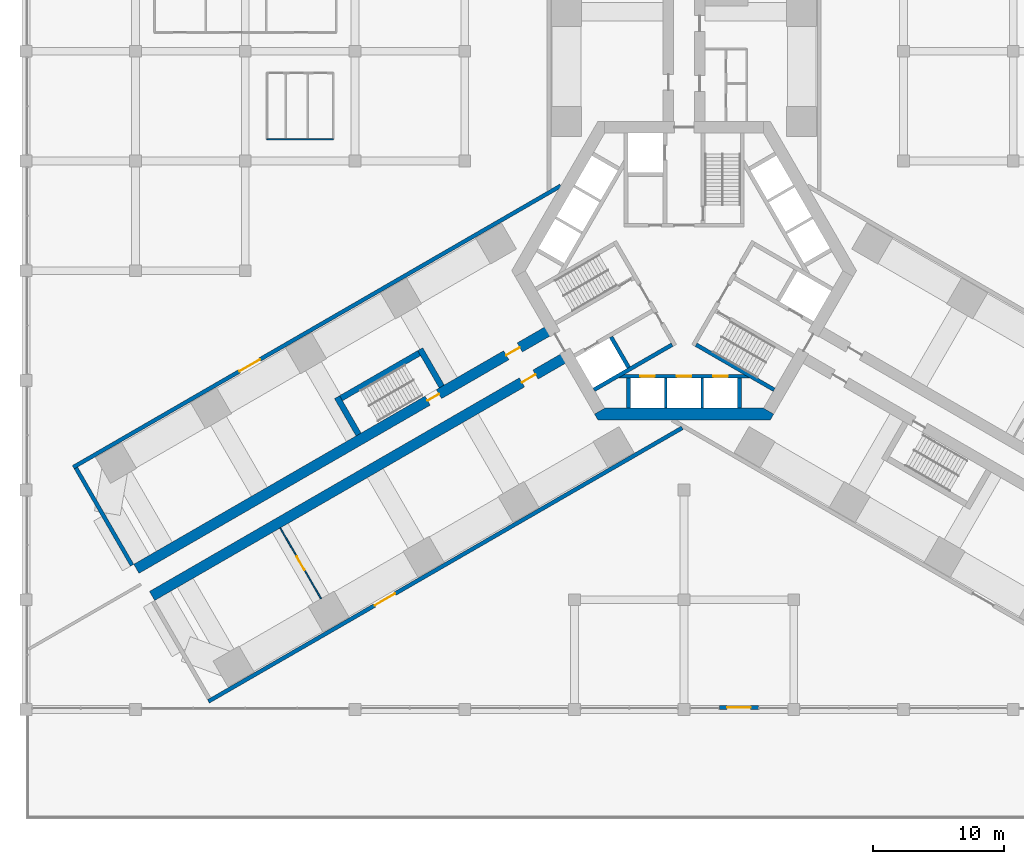
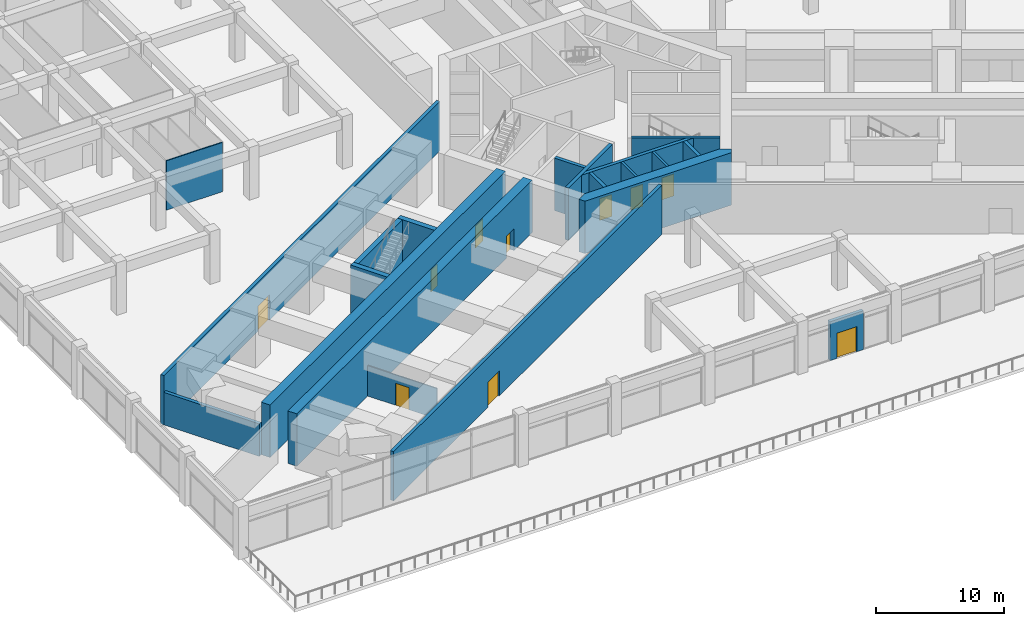
# One storey, part 28 of 36: 20 walls, 10 doors, 10 openings.
"""IFC4 building model written with IfcOpenShell, lengths in metres."""

from ifc_helpers import new_model, si_unit, direction, frame, frame_2d, origin, place, context, subcontext, project, spatial, polyline, rectangle, outline, extrude, material, layer, layer_set, type_object, element, fill, save


model = new_model("IFC4")

# Units and contexts
model_context = context("Model", 3, precision=1e-05, world=origin(), true_north=direction((0.0, 1.0)))
body_context = subcontext(model_context, "Body", "Model", "MODEL_VIEW")
ifc_project = project(units=[si_unit("LENGTHUNIT", "METRE"), si_unit("AREAUNIT", "SQUARE_METRE"), si_unit("VOLUMEUNIT", "CUBIC_METRE"), si_unit("PLANEANGLEUNIT", "RADIAN"), si_unit("MASSUNIT", "GRAM", prefix="KILO")], contexts=[model_context])

# Site, building, storey
site_placement = place(None, origin())
site = spatial("IfcSite", under=ifc_project, at=site_placement, CompositionType="ELEMENT")
building_placement = place(site_placement, origin())
building = spatial("IfcBuilding", under=site, at=building_placement, Name="Impinga Residences", CompositionType="ELEMENT")
storey_placement = place(building_placement, frame((0.0, 0.0, 6.0)))
storey = spatial("IfcBuildingStorey", under=building, at=storey_placement, Name="L01", CompositionType="ELEMENT", Elevation=6.0)

# Wall, opening, door
ifc_material_1 = material(Name="Concrete C70/85", Category="concrete")
ifc_layer_1 = layer(ifc_material_1, 0.800048828125)
ifc_layer_set_1 = layer_set([ifc_layer_1], Name="Concrete C70/85")
wall_type_1 = type_object("IfcWallType", Name="BW0 corridor buttress wall, B3 to L04 800", PredefinedType="SHEAR", material=ifc_layer_set_1)
wall_1_placement = place(storey_placement, frame((-8.910400390625, -6.530029296875, 0.0), z_axis=(0.0, 0.0, 1.0), x_axis=(-0.866025284237, -0.500000207062, 0.0)))
wall_1 = element("IfcWall", 1, at=wall_1_placement, inside=storey, type_object=wall_type_1, Name="Corridor wall BW0 WC L01", PredefinedType="SHEAR", context=body_context, shape_type="SweptSolid", body=[
    extrude(rectangle(XDim=36.75, YDim=0.800048828125, at=frame_2d((18.375, 0.0))), origin(), (0.0, 0.0, 1.0), 5.0),
])
opening_1_placement = place(wall_1_placement, frame((2.85009765625, 0.0, 0.0)))
opening_1 = element("IfcOpeningElement", 2, at=opening_1_placement, cuts=wall_1, Name="Opening D3", PredefinedType="OPENING", context=body_context, shape_type="SweptSolid", body=[
    extrude(rectangle(XDim=1.199951171875, YDim=2.10009765625, at=frame_2d((0.60009765625, 1.050048828125))), frame((0.0, 0.409912109375, 0.0), z_axis=(0.0, -1.0, 0.0), x_axis=(1.0, 0.0, 0.0)), (0.0, 0.0, 1.0), 0.820068359375),
])
ifc_material_2 = material(Name="Timber door set", Category="wood")
door_type_1 = type_object("IfcDoorType", Name="D3 room door, leaf and a half 1200x2100", OperationType="DOUBLE_SWING_LEFT", PredefinedType="DOOR", material=ifc_material_2)
door_1_placement = place(opening_1_placement, origin())
door_1 = element("IfcDoor", 3, at=door_1_placement, inside=storey, type_object=door_type_1, Name="Library lounge door L01-WA1", OperationType="DOUBLE_SWING_LEFT", OverallHeight=2.10009765625, OverallWidth=1.199951171875, PredefinedType="DOOR", context=body_context, shape_type="SweptSolid", body=[
    extrude(rectangle(XDim=1.199951171875, YDim=2.10009765625, at=frame_2d((0.60009765625, 1.050048828125))), frame((0.0, 0.02490234375, 0.0), z_axis=(0.0, -1.0, 0.0), x_axis=(1.0, 0.0, 0.0)), (0.0, 0.0, 1.0), 0.050048828125),
])
fill(opening_1, door_1)

# Wall, openings, doors
wall_2_placement = place(storey_placement, frame((-10.1103515625, -4.451416015625, 0.0), z_axis=(0.0, 0.0, 1.0), x_axis=(-0.866025284237, -0.500000207062, 0.0)))
wall_2 = element("IfcWall", 4, at=wall_2_placement, inside=storey, type_object=wall_type_1, Name="Corridor wall BW0 WD L01", PredefinedType="SHEAR", context=body_context, shape_type="SweptSolid", body=[
    extrude(rectangle(XDim=36.75, YDim=0.800048828125, at=frame_2d((18.375, 0.0))), origin(), (0.0, 0.0, 1.0), 5.0),
])
opening_2_placement = place(wall_2_placement, frame((10.0, 0.0, 0.0)))
opening_2 = element("IfcOpeningElement", 5, at=opening_2_placement, cuts=wall_2, Name="Opening D5", PredefinedType="OPENING", context=body_context, shape_type="SweptSolid", body=[
    extrude(rectangle(XDim=1.0, YDim=2.10009765625, at=frame_2d((0.5, 1.050048828125))), frame((0.0, 0.409912109375, 0.0), z_axis=(0.0, -1.0, 0.0), x_axis=(1.0, 0.0, 0.0)), (0.0, 0.0, 1.0), 0.820068359375),
])
opening_3_placement = place(wall_2_placement, frame((2.85009765625, 0.0, 0.0)))
opening_3 = element("IfcOpeningElement", 6, at=opening_3_placement, cuts=wall_2, Name="Opening D3", PredefinedType="OPENING", context=body_context, shape_type="SweptSolid", body=[
    extrude(rectangle(XDim=1.199951171875, YDim=2.10009765625, at=frame_2d((0.60009765625, 1.050048828125))), frame((0.0, 0.409912109375, 0.0), z_axis=(0.0, -1.0, 0.0), x_axis=(1.0, 0.0, 0.0)), (0.0, 0.0, 1.0), 0.820068359375),
])
door_2_placement = place(opening_3_placement, origin())
door_2 = element("IfcDoor", 7, at=door_2_placement, inside=storey, type_object=door_type_1, Name="Games room door L01-WF1", OperationType="DOUBLE_SWING_LEFT", OverallHeight=2.10009765625, OverallWidth=1.199951171875, PredefinedType="DOOR", context=body_context, shape_type="SweptSolid", body=[
    extrude(rectangle(XDim=1.199951171875, YDim=2.10009765625, at=frame_2d((0.60009765625, 1.050048828125))), frame((0.0, 0.02490234375, 0.0), z_axis=(0.0, -1.0, 0.0), x_axis=(1.0, 0.0, 0.0)), (0.0, 0.0, 1.0), 0.050048828125),
])
fill(opening_3, door_2)
door_type_2 = type_object("IfcDoorType", Name="D5 stair door 1000x2100", OperationType="SINGLE_SWING_LEFT", PredefinedType="DOOR", material=ifc_material_2)
door_3_placement = place(opening_2_placement, origin())
door_3 = element("IfcDoor", 8, at=door_3_placement, inside=storey, type_object=door_type_2, Name="Wing stair door W", OperationType="SINGLE_SWING_LEFT", OverallHeight=2.10009765625, OverallWidth=1.0, PredefinedType="DOOR", context=body_context, shape_type="SweptSolid", body=[
    extrude(rectangle(XDim=1.0, YDim=2.10009765625, at=frame_2d((0.5, 1.050048828125))), frame((0.0, 0.02490234375, 0.0), z_axis=(0.0, -1.0, 0.0), x_axis=(1.0, 0.0, 0.0)), (0.0, 0.0, 1.0), 0.050048828125),
])
fill(opening_2, door_3)

# Wall, opening, door
ifc_material_3 = material(Name="Concrete blockwork", Category="masonry")
ifc_layer_2 = layer(ifc_material_3, 0.10009765625)
ifc_layer_set_2 = layer_set([ifc_layer_2], Name="CP1 core room partition, blockwork 100")
wall_type_2 = type_object("IfcWallType", Name="CP1 core room partition, blockwork 100", PredefinedType="PARTITIONING", material=ifc_layer_set_2)
wall_3_placement = place(storey_placement, frame((-30.923828125, -19.701416015625, 0.0), z_axis=(0.0, 0.0, 1.0), x_axis=(0.500004234368, -0.866022959057, 0.0)))
wall_3 = element("IfcWall", 9, at=wall_3_placement, inside=storey, type_object=wall_type_2, Name="Core room partition, blockwork L01-WA1:PS1", PredefinedType="PARTITIONING", context=body_context, shape_type="SweptSolid", body=[
    extrude(rectangle(XDim=6.25, YDim=0.10009765625, at=frame_2d((3.125, 0.0))), origin(), (0.0, 0.0, 1.0), 2.89990234375),
])
opening_4_placement = place(wall_3_placement, frame((2.52490234375, 0.0, 0.0)))
opening_4 = element("IfcOpeningElement", 10, at=opening_4_placement, cuts=wall_3, Name="Opening D3", PredefinedType="OPENING", context=body_context, shape_type="SweptSolid", body=[
    extrude(rectangle(XDim=1.199951171875, YDim=2.10009765625, at=frame_2d((0.60009765625, 1.050048828125))), frame((0.0, 0.06005859375, 0.0), z_axis=(0.0, -1.0, 0.0), x_axis=(1.0, 0.0, 0.0)), (0.0, 0.0, 1.0), 0.1201171875),
])
door_4_placement = place(opening_4_placement, origin())
door_4 = element("IfcDoor", 11, at=door_4_placement, inside=storey, type_object=door_type_1, Name="Reading room door L01-WA1", OperationType="DOUBLE_SWING_LEFT", OverallHeight=2.10009765625, OverallWidth=1.199951171875, PredefinedType="DOOR", context=body_context, shape_type="SweptSolid", body=[
    extrude(rectangle(XDim=1.199951171875, YDim=2.10009765625, at=frame_2d((0.60009765625, 1.050048828125))), frame((0.0, 0.02490234375, 0.0), z_axis=(0.0, -1.0, 0.0), x_axis=(1.0, 0.0, 0.0)), (0.0, 0.0, 1.0), 0.050048828125),
])
fill(opening_4, door_4)

ifc_material_4 = material(Name="Stone facing on blockwork", Category="masonry")
ifc_layer_3 = layer(ifc_material_4, 0.300048828125)
ifc_layer_set_3 = layer_set([ifc_layer_3], Name="EW2 external wall, stone facing on blockwork 300")
wall_type_3 = type_object("IfcWallType", Name="EW2 external wall, stone facing on blockwork 300", PredefinedType="SOLIDWALL", material=ifc_layer_set_3)
wall_4_placement = place(storey_placement, frame((5.699951171875, -33.449951171875, 0.0), z_axis=(0.0, 0.0, 1.0), x_axis=(-1.0, 0.0, 0.0)))
wall_4 = element("IfcWall", 12, at=wall_4_placement, inside=storey, type_object=wall_type_3, Name="External wall EW2 L01", PredefinedType="SOLIDWALL", context=body_context, shape_type="SweptSolid", body=[
    extrude(rectangle(XDim=3.0, YDim=0.300048828125, at=frame_2d((1.5, 0.0))), origin(), (0.0, 0.0, 1.0), 3.699951171875),
])
opening_5_placement = place(wall_4_placement, frame((0.60009765625, 0.0, 0.0)))
opening_5 = element("IfcOpeningElement", 13, at=opening_5_placement, cuts=wall_4, Name="Opening TD2", PredefinedType="OPENING", context=body_context, shape_type="SweptSolid", body=[
    extrude(rectangle(XDim=1.800048828125, YDim=2.39990234375, at=frame_2d((0.89990234375, 1.199951171875))), frame((0.0, 0.159912109375, 0.0), z_axis=(0.0, -1.0, 0.0), x_axis=(1.0, 0.0, 0.0)), (0.0, 0.0, 1.0), 0.320068359375),
])
ifc_material_5 = material(Name="Glazed aluminium door", Category="aluminium")
door_type_3 = type_object("IfcDoorType", Name="TD2 terrace door pair 1800x2400", OperationType="DOUBLE_DOOR_SINGLE_SWING", PredefinedType="DOOR", material=ifc_material_5)
door_5_placement = place(opening_5_placement, origin())
door_5 = element("IfcDoor", 14, at=door_5_placement, inside=storey, type_object=door_type_3, Name="Terrace doors L01", OperationType="DOUBLE_DOOR_SINGLE_SWING", OverallHeight=2.39990234375, OverallWidth=1.800048828125, PredefinedType="DOOR", context=body_context, shape_type="SweptSolid", body=[
    extrude(rectangle(XDim=1.800048828125, YDim=2.39990234375, at=frame_2d((0.89990234375, 1.199951171875))), frame((0.0, 0.02490234375, 0.0), z_axis=(0.0, -1.0, 0.0), x_axis=(1.0, 0.0, 0.0)), (0.0, 0.0, 1.0), 0.050048828125),
])
fill(opening_5, door_5)

# Walls
ifc_material_6 = material(Name="Gypsum board on steel studs", Category="steel")
ifc_layer_4 = layer(ifc_material_6, 0.10009765625)
ifc_layer_set_4 = layer_set([ifc_layer_4], Name="Gypsum board on steel studs")
wall_type_4 = type_object("IfcWallType", Name="IP1 partition 100", PredefinedType="PARTITIONING", material=ifc_layer_set_4)
wall_5_placement = place(storey_placement, frame((-31.93994140625, 10.06005859375, 0.0), z_axis=(0.0, 0.0, 1.0), x_axis=(1.0, 0.0, 0.0)))
element("IfcWall", 15, at=wall_5_placement, inside=storey, type_object=wall_type_4, Name="Partition L01:REG:NW:B2:BLKS", PredefinedType="PARTITIONING", context=body_context, shape_type="SweptSolid", body=[
    extrude(rectangle(XDim=5.079833984375, YDim=0.10009765625, at=frame_2d((2.5400390625, 0.0))), origin(), (0.0, 0.0, 1.0), 4.699951171875),
])
ifc_layer_5 = layer(ifc_material_3, 0.300048828125)
ifc_layer_set_5 = layer_set([ifc_layer_5], Name="PW3 podium wall on the wing face 300")
wall_type_5 = type_object("IfcWallType", Name="PW3 podium wall on the wing face 300", PredefinedType="SOLIDWALL", material=ifc_layer_set_5)
wall_6_placement = place(storey_placement, frame((-42.2666015625, -22.55517578125, 0.0), z_axis=(0.0, 0.0, 1.0), x_axis=(-0.500007509209, 0.866021068297, 0.0)))
element("IfcWall", 16, at=wall_6_placement, inside=storey, type_object=wall_type_5, Name="Podium wall on the wing face L01:END:WF", PredefinedType="SOLIDWALL", context=body_context, shape_type="SweptSolid", body=[
    extrude(rectangle(XDim=8.599853515625, YDim=0.300048828125, at=frame_2d((4.2998046875, 0.0))), origin(), (0.0, 0.0, 1.0), 3.10009765625),
])

# Wall, opening, door
wall_7_placement = place(storey_placement, frame((-0.14990234375, -12.037841796875, 0.0), z_axis=(0.0, 0.0, 1.0), x_axis=(-0.866026292622, -0.499998460486, 0.0)))
wall_7 = element("IfcWall", 17, at=wall_7_placement, inside=storey, type_object=wall_type_5, Name="Podium wall on the wing face L01:SIDE:WA0", PredefinedType="SOLIDWALL", context=body_context, shape_type="SweptSolid", body=[
    extrude(rectangle(XDim=41.883056640625, YDim=0.300048828125, at=frame_2d((20.94140625, 0.0))), origin(), (0.0, 0.0, 1.0), 4.699951171875),
])
opening_6_placement = place(wall_7_placement, frame((25.3828125, 0.0, 0.0)))
opening_6 = element("IfcOpeningElement", 18, at=opening_6_placement, cuts=wall_7, Name="Opening D7", PredefinedType="OPENING", context=body_context, shape_type="SweptSolid", body=[
    extrude(rectangle(XDim=1.800048828125, YDim=2.39990234375, at=frame_2d((0.89990234375, 1.199951171875))), frame((0.0, 0.159912109375, 0.0), z_axis=(0.0, -1.0, 0.0), x_axis=(1.0, 0.0, 0.0)), (0.0, 0.0, 1.0), 0.320068359375),
])
door_type_4 = type_object("IfcDoorType", Name="D7 podium door pair 1800x2400", OperationType="DOUBLE_DOOR_DOUBLE_SWING", PredefinedType="DOOR", material=ifc_material_2)
door_6_placement = place(opening_6_placement, origin())
door_6 = element("IfcDoor", 19, at=door_6_placement, inside=storey, type_object=door_type_4, Name="Double door WA", OperationType="DOUBLE_DOOR_DOUBLE_SWING", OverallHeight=2.39990234375, OverallWidth=1.800048828125, PredefinedType="DOOR", context=body_context, shape_type="SweptSolid", body=[
    extrude(rectangle(XDim=1.800048828125, YDim=2.39990234375, at=frame_2d((0.89990234375, 1.199951171875))), frame((0.0, 0.02490234375, 0.0), z_axis=(0.0, -1.0, 0.0), x_axis=(1.0, 0.0, 0.0)), (0.0, 0.0, 1.0), 0.050048828125),
])
fill(opening_6, door_6)

wall_8_placement = place(storey_placement, frame((-9.449951171875, 6.4951171875, 0.0), z_axis=(0.0, 0.0, 1.0), x_axis=(-0.866025301493, -0.500000177174, 0.0)))
wall_8 = element("IfcWall", 20, at=wall_8_placement, inside=storey, type_object=wall_type_5, Name="Podium wall on the wing face L01:SIDE:WF0", PredefinedType="SOLIDWALL", context=body_context, shape_type="SweptSolid", body=[
    extrude(rectangle(XDim=43.09521484375, YDim=0.300048828125, at=frame_2d((21.547607421875, 0.0))), origin(), (0.0, 0.0, 1.0), 4.699951171875),
])
opening_7_placement = place(wall_8_placement, frame((26.59521484375, 0.0, 0.0)))
opening_7 = element("IfcOpeningElement", 21, at=opening_7_placement, cuts=wall_8, Name="Opening D7", PredefinedType="OPENING", context=body_context, shape_type="SweptSolid", body=[
    extrude(rectangle(XDim=1.800048828125, YDim=2.39990234375, at=frame_2d((0.89990234375, 1.199951171875))), frame((0.0, 0.159912109375, 0.0), z_axis=(0.0, -1.0, 0.0), x_axis=(1.0, 0.0, 0.0)), (0.0, 0.0, 1.0), 0.320068359375),
])
door_7_placement = place(opening_7_placement, origin())
door_7 = element("IfcDoor", 22, at=door_7_placement, inside=storey, type_object=door_type_4, Name="Double door WF", OperationType="DOUBLE_DOOR_DOUBLE_SWING", OverallHeight=2.39990234375, OverallWidth=1.800048828125, PredefinedType="DOOR", context=body_context, shape_type="SweptSolid", body=[
    extrude(rectangle(XDim=1.800048828125, YDim=2.39990234375, at=frame_2d((0.89990234375, 1.199951171875))), frame((0.0, 0.02490234375, 0.0), z_axis=(0.0, -1.0, 0.0), x_axis=(1.0, 0.0, 0.0)), (0.0, 0.0, 1.0), 0.050048828125),
])
fill(opening_7, door_7)

# Walls
ifc_material_7 = material(Name="Concrete C60/75", Category="concrete")
ifc_layer_6 = layer(ifc_material_7, 0.449951171875)
ifc_layer_set_6 = layer_set([ifc_layer_6], Name="Concrete C60/75")
wall_type_6 = type_object("IfcWallType", Name="SE2 wing stair enclosure wall, ground and podium storeys 450", PredefinedType="SOLIDWALL", material=ifc_layer_set_6)
for number, where, z_axis, x_axis, name in (
    (23, (-18.55908203125, -8.86767578125, 0.0), (0.0, 0.0, 1.0), (-0.50002983664, 0.866008176907, 0.0), "Stair enclosure wall SE2 W END0 L01"),
    (24, (-24.924560546875, -12.542724609375, 0.0), (0.0, 0.0, 1.0), (-0.499974350878, 0.866040211805, 0.0), "Stair enclosure wall SE2 W END1 L01"),
):
    element("IfcWall", number, at=place(storey_placement, frame(where, z_axis=z_axis, x_axis=x_axis)), inside=storey, type_object=wall_type_6, Name=name, PredefinedType="SOLIDWALL", context=body_context, shape_type="SweptSolid", body=[
        extrude(rectangle(XDim=3.300048828125, YDim=0.449951171875, at=frame_2d((1.64990234375, 0.0))), origin(), (0.0, 0.0, 1.0), 5.0),
    ])
wall_9_placement = place(storey_placement, frame((-20.29150390625, -6.317138671875, 0.0), z_axis=(0.0, 0.0, 1.0), x_axis=(-0.866028853923, -0.499994024137, 0.0)))
element("IfcWall", 25, at=wall_9_placement, inside=storey, type_object=wall_type_6, Name="Stair enclosure wall SE2 W OUT L01", PredefinedType="SOLIDWALL", context=body_context, shape_type="SweptSolid", body=[
    extrude(rectangle(XDim=6.89990234375, YDim=0.449951171875, at=frame_2d((3.449951171875, 0.0))), origin(), (0.0, 0.0, 1.0), 5.0),
])
ifc_layer_7 = layer(ifc_material_1, 0.89990234375)
ifc_layer_set_7 = layer_set([ifc_layer_7], Name="Concrete C70/85")
wall_type_7 = type_object("IfcWallType", Name="SW1 core wall 900", PredefinedType="SHEAR", material=ifc_layer_set_7)
wall_10_placement = place(storey_placement, origin())
element("IfcWall", 26, at=wall_10_placement, inside=storey, type_object=wall_type_7, Name="Core wall SW1 N:EXPOSED L01", PredefinedType="SHEAR", context=body_context, shape_type="SweptSolid", body=[
    extrude(outline(polyline([(-6.60009765625, -11.431640625), (6.60009765625, -11.431640625), (6.85986328125, -10.9814453125), (6.080322265625, -10.531494140625), (-6.080322265625, -10.531494140625), (-6.85986328125, -10.9814453125), (-6.60009765625, -11.431640625)])), origin(), (0.0, 0.0, 1.0), 5.0),
])
ifc_layer_8 = layer(ifc_material_1, 0.300048828125)
ifc_layer_set_8 = layer_set([ifc_layer_8], Name="Concrete C70/85")
wall_type_8 = type_object("IfcWallType", Name="SW5 core inner wall, stairs, shafts and lobbies 300", PredefinedType="SHEAR", material=ifc_layer_set_8)
wall_11_placement = place(storey_placement, frame((-0.918701171875, -5.668701171875, 0.0), z_axis=(0.0, 0.0, 1.0), x_axis=(-0.866011800373, -0.500023561059, 0.0)))
element("IfcWall", 27, at=wall_11_placement, inside=storey, type_object=wall_type_8, Name="Core wall SW5 W:FF-OUT L01", PredefinedType="SHEAR", context=body_context, shape_type="SweptSolid", body=[
    extrude(rectangle(XDim=6.901611328125, YDim=0.300048828125, at=frame_2d((3.45068359375, 0.0))), origin(), (0.0, 0.0, 1.0), 5.0),
])
wall_12_placement = place(storey_placement, frame((-4.2412109375, -7.413818359375, 0.0), z_axis=(0.0, 0.0, 1.0), x_axis=(-0.500048589285, 0.86599734893, 0.0)))
element("IfcWall", 28, at=wall_12_placement, inside=storey, type_object=wall_type_8, Name="Core wall SW5 W:FF-RS L01", PredefinedType="SHEAR", context=body_context, shape_type="SweptSolid", body=[
    extrude(rectangle(XDim=2.699951171875, YDim=0.300048828125, at=frame_2d((1.35009765625, 0.0))), origin(), (0.0, 0.0, 1.0), 5.0),
])
wall_13_placement = place(storey_placement, frame((0.918701171875, -5.668701171875, 0.0), z_axis=(0.0, 0.0, 1.0), x_axis=(0.866011800373, -0.500023561059, 0.0)))
element("IfcWall", 29, at=wall_13_placement, inside=storey, type_object=wall_type_8, Name="Core wall SW5 E:ST-OUT L01", PredefinedType="SHEAR", context=body_context, shape_type="SweptSolid", body=[
    extrude(rectangle(XDim=6.901611328125, YDim=0.300048828125, at=frame_2d((3.45068359375, 0.0))), origin(), (0.0, 0.0, 1.0), 5.0),
])

# Wall, openings, doors
wall_14_placement = place(storey_placement, frame((5.09765625, -8.08154296875, 0.0), z_axis=(0.0, 0.0, 1.0), x_axis=(-1.0, 0.0, 0.0)))
wall_14 = element("IfcWall", 30, at=wall_14_placement, inside=storey, type_object=wall_type_8, Name="Core wall SW5 N:BANK-FRONT L01", PredefinedType="SHEAR", context=body_context, shape_type="SweptSolid", body=[
    extrude(rectangle(XDim=10.1953125, YDim=0.300048828125, at=frame_2d((5.09765625, 0.0))), origin(), (0.0, 0.0, 1.0), 5.0),
])
opening_8_placement = place(wall_14_placement, frame((1.74755859375, 0.0, 0.0)))
opening_8 = element("IfcOpeningElement", 31, at=opening_8_placement, cuts=wall_14, Name="Opening LD1", PredefinedType="OPENING", context=body_context, shape_type="SweptSolid", body=[
    extrude(rectangle(XDim=1.10009765625, YDim=2.10009765625, at=frame_2d((0.550048828125, 1.050048828125))), frame((0.0, 0.159912109375, 0.0), z_axis=(0.0, -1.0, 0.0), x_axis=(1.0, 0.0, 0.0)), (0.0, 0.0, 1.0), 0.320068359375),
])
opening_9_placement = place(wall_14_placement, frame((4.547607421875, 0.0, 0.0)))
opening_9 = element("IfcOpeningElement", 32, at=opening_9_placement, cuts=wall_14, Name="Opening LD1", PredefinedType="OPENING", context=body_context, shape_type="SweptSolid", body=[
    extrude(rectangle(XDim=1.10009765625, YDim=2.10009765625, at=frame_2d((0.550048828125, 1.050048828125))), frame((0.0, 0.159912109375, 0.0), z_axis=(0.0, -1.0, 0.0), x_axis=(1.0, 0.0, 0.0)), (0.0, 0.0, 1.0), 0.320068359375),
])
opening_10_placement = place(wall_14_placement, frame((7.34765625, 0.0, 0.0)))
opening_10 = element("IfcOpeningElement", 33, at=opening_10_placement, cuts=wall_14, Name="Opening LD1", PredefinedType="OPENING", context=body_context, shape_type="SweptSolid", body=[
    extrude(rectangle(XDim=1.10009765625, YDim=2.10009765625, at=frame_2d((0.550048828125, 1.050048828125))), frame((0.0, 0.159912109375, 0.0), z_axis=(0.0, -1.0, 0.0), x_axis=(1.0, 0.0, 0.0)), (0.0, 0.0, 1.0), 0.320068359375),
])
ifc_material_8 = material(Name="Steel lift landing door", Category="steel")
door_type_5 = type_object("IfcDoorType", Name="LD1 passenger lift landing door 1100x2100", OperationType="DOUBLE_DOOR_SLIDING", PredefinedType="DOOR", material=ifc_material_8)
door_8_placement = place(opening_8_placement, origin())
door_8 = element("IfcDoor", 34, at=door_8_placement, inside=storey, type_object=door_type_5, Name="Lift landing door P1", OperationType="DOUBLE_DOOR_SLIDING", OverallHeight=2.10009765625, OverallWidth=1.10009765625, PredefinedType="DOOR", context=body_context, shape_type="SweptSolid", body=[
    extrude(rectangle(XDim=1.10009765625, YDim=2.10009765625, at=frame_2d((0.550048828125, 1.050048828125))), frame((0.0, 0.02490234375, 0.0), z_axis=(0.0, -1.0, 0.0), x_axis=(1.0, 0.0, 0.0)), (0.0, 0.0, 1.0), 0.050048828125),
])
fill(opening_8, door_8)
door_9_placement = place(opening_9_placement, origin())
door_9 = element("IfcDoor", 35, at=door_9_placement, inside=storey, type_object=door_type_5, Name="Lift landing door P2", OperationType="DOUBLE_DOOR_SLIDING", OverallHeight=2.10009765625, OverallWidth=1.10009765625, PredefinedType="DOOR", context=body_context, shape_type="SweptSolid", body=[
    extrude(rectangle(XDim=1.10009765625, YDim=2.10009765625, at=frame_2d((0.550048828125, 1.050048828125))), frame((0.0, 0.02490234375, 0.0), z_axis=(0.0, -1.0, 0.0), x_axis=(1.0, 0.0, 0.0)), (0.0, 0.0, 1.0), 0.050048828125),
])
fill(opening_9, door_9)
door_10_placement = place(opening_10_placement, origin())
door_10 = element("IfcDoor", 36, at=door_10_placement, inside=storey, type_object=door_type_5, Name="Lift landing door P3", OperationType="DOUBLE_DOOR_SLIDING", OverallHeight=2.10009765625, OverallWidth=1.10009765625, PredefinedType="DOOR", context=body_context, shape_type="SweptSolid", body=[
    extrude(rectangle(XDim=1.10009765625, YDim=2.10009765625, at=frame_2d((0.550048828125, 1.050048828125))), frame((0.0, 0.02490234375, 0.0), z_axis=(0.0, -1.0, 0.0), x_axis=(1.0, 0.0, 0.0)), (0.0, 0.0, 1.0), 0.050048828125),
])
fill(opening_10, door_10)

# Walls
for number, where, z_axis, x_axis, name in (
    (37, (4.25, -8.2314453125, 0.0), (0.0, 0.0, 1.0), (0.0, -1.0, 0.0), "Core wall SW5 N:BANK-L L01"),
    (38, (-4.25, -8.2314453125, 0.0), (0.0, 0.0, 1.0), (0.0, -1.0, 0.0), "Core wall SW5 N:BANK-R L01"),
):
    element("IfcWall", number, at=place(storey_placement, frame(where, z_axis=z_axis, x_axis=x_axis)), inside=storey, type_object=wall_type_8, Name=name, PredefinedType="SHEAR", context=body_context, shape_type="SweptSolid", body=[
        extrude(rectangle(XDim=2.300048828125, YDim=0.300048828125, at=frame_2d((1.14990234375, 0.0))), origin(), (0.0, 0.0, 1.0), 5.0),
    ])
ifc_layer_9 = layer(ifc_material_1, 0.199951171875)
ifc_layer_set_9 = layer_set([ifc_layer_9], Name="Concrete C70/85")
wall_type_9 = type_object("IfcWallType", Name="SW6 lift shaft divider wall 200", PredefinedType="SHEAR", material=ifc_layer_set_9)
for number, where, z_axis, x_axis, name in (
    (39, (1.39990234375, -8.2314453125, 0.0), (0.0, 0.0, 1.0), (0.0, -1.0, 0.0), "Core wall SW6 N:BANK-D1 L01"),
    (40, (-1.39990234375, -8.2314453125, 0.0), (0.0, 0.0, 1.0), (0.0, -1.0, 0.0), "Core wall SW6 N:BANK-D2 L01"),
):
    element("IfcWall", number, at=place(storey_placement, frame(where, z_axis=z_axis, x_axis=x_axis)), inside=storey, type_object=wall_type_9, Name=name, PredefinedType="SHEAR", context=body_context, shape_type="SweptSolid", body=[
        extrude(rectangle(XDim=2.300048828125, YDim=0.199951171875, at=frame_2d((1.14990234375, 0.0))), origin(), (0.0, 0.0, 1.0), 5.0),
    ])

save(model, "model.ifc")
